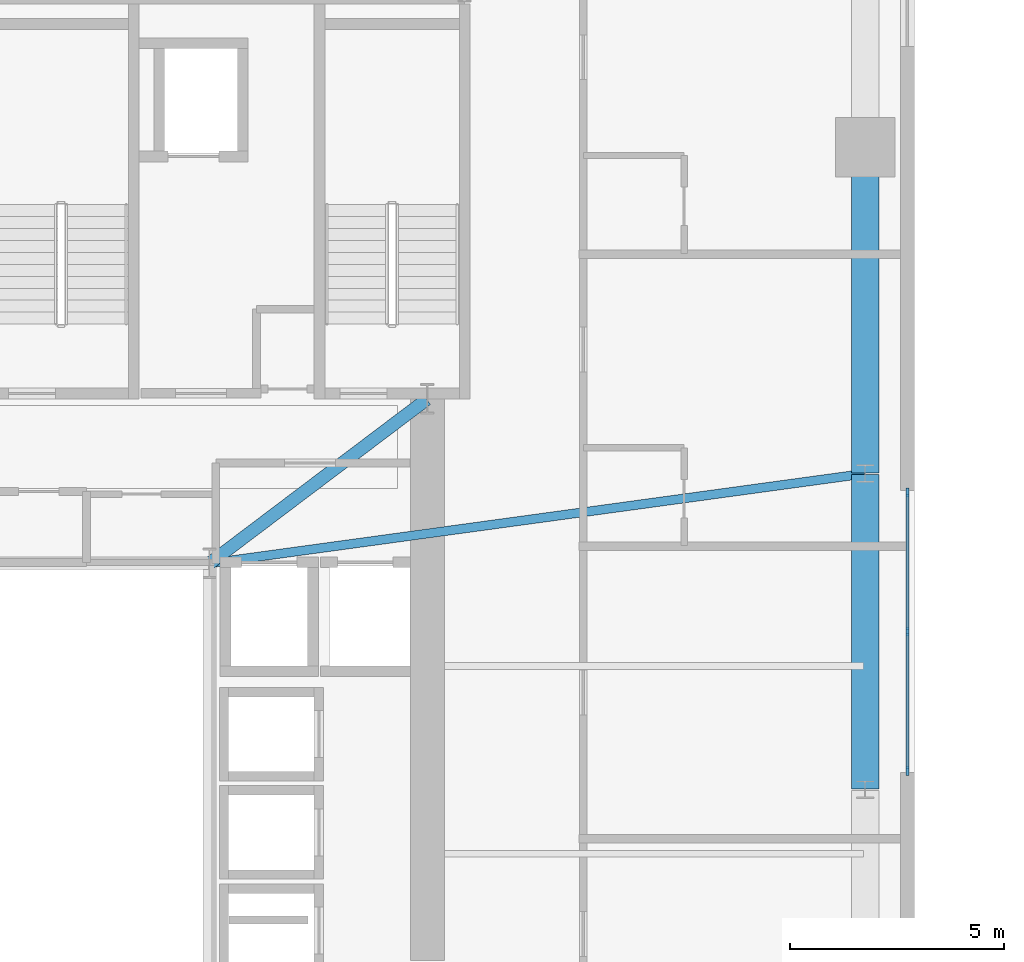
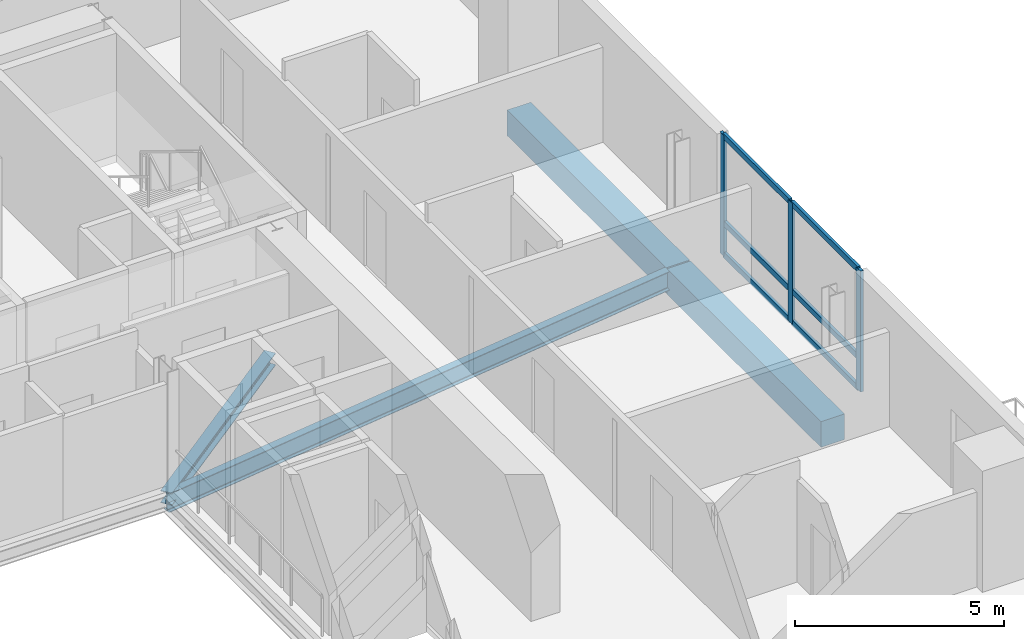
# One storey, part 5 of 16: 9 members, 4 beams, 1 element without a shape of its own.
"""IFC4 building model written with IfcOpenShell, lengths in metres."""

from ifc_helpers import new_model, si_unit, direction, frame, origin, origin_2d, place, context, subcontext, project, spatial, rectangle, i_section, extrude, source, transform, mapped, material, material_profile, profile_set, type_object, element, aggregate, save


model = new_model("IFC4")

# Units and contexts
model_context = context("Model", 3, precision=1e-05, world=origin(), true_north=direction((0.0, 1.0)))
body_context = subcontext(model_context, "Body", "Model", "MODEL_VIEW")
ifc_project = project(units=[si_unit("LENGTHUNIT", "METRE"), si_unit("AREAUNIT", "SQUARE_METRE"), si_unit("VOLUMEUNIT", "CUBIC_METRE"), si_unit("PLANEANGLEUNIT", "RADIAN"), si_unit("MASSUNIT", "GRAM", prefix="KILO")], contexts=[model_context])

# Site, building, storey
site_placement = place(None, origin())
site = spatial("IfcSite", under=ifc_project, at=site_placement, CompositionType="ELEMENT")
building_placement = place(site_placement, origin())
building = spatial("IfcBuilding", under=site, at=building_placement, Name="Vardaveli Station Tower", CompositionType="ELEMENT")
storey_placement = place(building_placement, frame((0.0, 0.0, 184.800048828125)))
storey = spatial("IfcBuildingStorey", under=building, at=storey_placement, Name="L47", CompositionType="ELEMENT", Elevation=184.800048828125)

# Beams
ifc_material_1 = material(Name="Structural steel S355J2", Category="steel")
ifc_material_profile_1 = material_profile(ifc_material_1, i_section(OverallWidth=0.300048828125, OverallDepth=0.360107421875, WebThickness=0.012451171875, FlangeThickness=0.0224609375, FilletRadius=0.027099609375, at=origin_2d()), Name="HEB 360")
ifc_profile_set_1 = profile_set([ifc_material_profile_1], Name="Structural steel S355J2")
beam_type_1 = type_object("IfcBeamType", Name="BM-HEB360", PredefinedType="BEAM", material=ifc_profile_set_1)
shared_shape_1 = source(origin(), body_context, "Body", "SweptSolid", [
    extrude(i_section(OverallWidth=0.300048828125, OverallDepth=0.360107421875, WebThickness=0.012451171875, FlangeThickness=0.0224609375, FilletRadius=0.027099609375, at=origin_2d()), origin(), (0.0, 0.0, 1.0), 6.35009765625),
])
beam_1_placement = place(storey_placement, frame((41.416015625, 26.81201171875, -0.400146484375), z_axis=(0.798118337722, 0.602500721154, 0.0), x_axis=(-0.602500721154, 0.798118337722, 0.0)))
element("IfcBeam", 1, at=beam_1_placement, inside=storey, type_object=beam_type_1, Name="CBM-L47-02", PredefinedType="BEAM", context=body_context, shape_type="MappedRepresentation", body=[
    mapped(shared_shape_1, transform((0.0, 0.0, 0.0), scale=1.0)),
])
ifc_material_2 = material(Name="Precast concrete C45/55", Category="concrete")
ifc_material_profile_2 = material_profile(ifc_material_2, rectangle(XDim=0.64990234375, YDim=0.75, at=origin_2d()), Name="LPB 650x750")
ifc_profile_set_2 = profile_set([ifc_material_profile_2], Name="Precast concrete C45/55")
beam_type_2 = type_object("IfcBeamType", Name="BM-LPB-750", PredefinedType="BEAM", material=ifc_profile_set_2)
shared_shape_2 = source(origin(), body_context, "Body", "SweptSolid", [
    extrude(rectangle(XDim=0.64990234375, YDim=0.75, at=origin_2d()), origin(), (0.0, 0.0, 1.0), 7.60009765625),
])
beam_2_placement = place(storey_placement, frame((56.75, 28.919921875, -0.594970703125), z_axis=(0.0, 1.0, 0.0), x_axis=(-1.0, 0.0, 0.0)))
element("IfcBeam", 2, at=beam_2_placement, inside=storey, type_object=beam_type_2, Name="RBM-L47-09", PredefinedType="BEAM", context=body_context, shape_type="MappedRepresentation", body=[
    mapped(shared_shape_2, transform((0.0, 0.0, 0.0), scale=1.0)),
])
shared_shape_3 = source(origin(), body_context, "Body", "SweptSolid", [
    extrude(rectangle(XDim=0.64990234375, YDim=0.75, at=origin_2d()), origin(), (0.0, 0.0, 1.0), 7.35986328125),
])
beam_3_placement = place(storey_placement, frame((56.75, 21.52001953125, -0.594970703125), z_axis=(0.0, 1.0, 0.0), x_axis=(-1.0, 0.0, 0.0)))
element("IfcBeam", 3, at=beam_3_placement, inside=storey, type_object=beam_type_2, Name="RBM-L47-08", PredefinedType="BEAM", context=body_context, shape_type="MappedRepresentation", body=[
    mapped(shared_shape_3, transform((0.0, 0.0, 0.0), scale=1.0)),
])
ifc_material_profile_3 = material_profile(ifc_material_1, i_section(OverallWidth=0.2099609375, OverallDepth=0.550048828125, WebThickness=0.010986328125, FlangeThickness=0.01708984375, FilletRadius=0.02392578125, at=origin_2d()), Name="IPE 550")
ifc_profile_set_3 = profile_set([ifc_material_profile_3], Name="Structural steel S355J2")
beam_type_3 = type_object("IfcBeamType", Name="BM-IPE550", PredefinedType="BEAM", material=ifc_profile_set_3)
shared_shape_4 = source(origin(), body_context, "Body", "SweptSolid", [
    extrude(i_section(OverallWidth=0.2099609375, OverallDepth=0.550048828125, WebThickness=0.010986328125, FlangeThickness=0.01708984375, FilletRadius=0.02392578125, at=origin_2d()), origin(), (0.0, 0.0, 1.0), 15.452880859375),
])
beam_4_placement = place(storey_placement, frame((56.730224609375, 28.897216796875, -0.4951171875), z_axis=(-0.99077191151, -0.135539733521, 0.0), x_axis=(0.135539733521, -0.99077191151, 0.0)))
element("IfcBeam", 4, at=beam_4_placement, inside=storey, type_object=beam_type_3, Name="GBM-L47-07", PredefinedType="BEAM", context=body_context, shape_type="MappedRepresentation", body=[
    mapped(shared_shape_4, transform((0.0, 0.0, 0.0), scale=1.0)),
])

# Curtain wall, members
ifc_material_3 = material(Name="Travertine stone and solar-control glass", Category="masonry")
curtain_wall_type = type_object("IfcCurtainWallType", Name="CW-SYS-5", PredefinedType="NOTDEFINED", material=ifc_material_3)
curtain_wall_placement = place(storey_placement, origin())
curtain_wall = element("IfcCurtainWall", 5, at=curtain_wall_placement, inside=storey, type_object=curtain_wall_type, Name="CW-L47-E", PredefinedType="NOTDEFINED")
ifc_material_4 = material(Name="Anodised aluminium alloy 6063-T6", Category="aluminium")
ifc_material_profile_4 = material_profile(ifc_material_4, rectangle(XDim=0.080078125, YDim=0.1650390625, at=origin_2d()), Name="CWT 80x165")
ifc_profile_set_4 = profile_set([ifc_material_profile_4], Name="Anodised aluminium alloy 6063-T6")
member_type_1 = type_object("IfcMemberType", Name="CW-SYS-5-TRAN", PredefinedType="NOTDEFINED", material=ifc_profile_set_4)
shared_shape_5 = source(origin(), body_context, "Body", "SweptSolid", [
    extrude(rectangle(XDim=0.080078125, YDim=0.1650390625, at=origin_2d()), origin(), (0.0, 0.0, 1.0), 3.179931640625),
])
member_1_placement = place(storey_placement, frame((57.739990234375, 21.97998046875, 0.0400390625), z_axis=(0.0, 1.0, 0.0), x_axis=(-1.0, 0.0, 0.0)))
member_1 = element("IfcMember", 6, at=member_1_placement, type_object=member_type_1, Name="CW-5 transom 1.1", ObjectType="TRANSOM", PredefinedType="USERDEFINED", context=body_context, shape_type="MappedRepresentation", body=[
    mapped(shared_shape_5, transform((0.0, 0.0, 0.0), scale=1.0)),
])
member_2_placement = place(storey_placement, frame((57.739990234375, 21.97998046875, 0.949951171875), z_axis=(0.0, 1.0, 0.0), x_axis=(-1.0, 0.0, 0.0)))
member_2 = element("IfcMember", 7, at=member_2_placement, type_object=member_type_1, Name="CW-5 transom 1.2", ObjectType="TRANSOM", PredefinedType="USERDEFINED", context=body_context, shape_type="MappedRepresentation", body=[
    mapped(shared_shape_5, transform((0.0, 0.0, 0.0), scale=1.0)),
])
member_3_placement = place(storey_placement, frame((57.739990234375, 21.97998046875, 3.489990234375), z_axis=(0.0, 1.0, 0.0), x_axis=(-1.0, 0.0, 0.0)))
member_3 = element("IfcMember", 8, at=member_3_placement, type_object=member_type_1, Name="CW-5 transom 1.3", ObjectType="TRANSOM", PredefinedType="USERDEFINED", context=body_context, shape_type="MappedRepresentation", body=[
    mapped(shared_shape_5, transform((0.0, 0.0, 0.0), scale=1.0)),
])
member_4_placement = place(storey_placement, frame((57.739990234375, 25.239990234375, 0.0400390625), z_axis=(0.0, 1.0, 0.0), x_axis=(-1.0, 0.0, 0.0)))
member_4 = element("IfcMember", 9, at=member_4_placement, type_object=member_type_1, Name="CW-5 transom 2.1", ObjectType="TRANSOM", PredefinedType="USERDEFINED", context=body_context, shape_type="MappedRepresentation", body=[
    mapped(shared_shape_5, transform((0.0, 0.0, 0.0), scale=1.0)),
])
member_5_placement = place(storey_placement, frame((57.739990234375, 25.239990234375, 0.949951171875), z_axis=(0.0, 1.0, 0.0), x_axis=(-1.0, 0.0, 0.0)))
member_5 = element("IfcMember", 10, at=member_5_placement, type_object=member_type_1, Name="CW-5 transom 2.2", ObjectType="TRANSOM", PredefinedType="USERDEFINED", context=body_context, shape_type="MappedRepresentation", body=[
    mapped(shared_shape_5, transform((0.0, 0.0, 0.0), scale=1.0)),
])
member_6_placement = place(storey_placement, frame((57.739990234375, 25.239990234375, 3.489990234375), z_axis=(0.0, 1.0, 0.0), x_axis=(-1.0, 0.0, 0.0)))
member_6 = element("IfcMember", 11, at=member_6_placement, type_object=member_type_1, Name="CW-5 transom 2.3", ObjectType="TRANSOM", PredefinedType="USERDEFINED", context=body_context, shape_type="MappedRepresentation", body=[
    mapped(shared_shape_5, transform((0.0, 0.0, 0.0), scale=1.0)),
])
ifc_material_profile_5 = material_profile(ifc_material_4, rectangle(XDim=0.080078125, YDim=0.205078125, at=origin_2d()), Name="CWM 80x205")
ifc_profile_set_5 = profile_set([ifc_material_profile_5], Name="Anodised aluminium alloy 6063-T6")
member_type_2 = type_object("IfcMemberType", Name="CW-SYS-5-MULL", PredefinedType="MULLION", material=ifc_profile_set_5)
shared_shape_6 = source(origin(), body_context, "Body", "SweptSolid", [
    extrude(rectangle(XDim=0.080078125, YDim=0.205078125, at=origin_2d()), origin(), (0.0, 0.0, 1.0), 3.530029296875),
])
member_7_placement = place(storey_placement, frame((57.739990234375, 21.93994140625, 0.0), z_axis=(0.0, 0.0, 1.0), x_axis=(-1.0, 0.0, 0.0)))
member_7 = element("IfcMember", 12, at=member_7_placement, type_object=member_type_2, Name="CW-5 mullion 1", PredefinedType="MULLION", context=body_context, shape_type="MappedRepresentation", body=[
    mapped(shared_shape_6, transform((0.0, 0.0, 0.0), scale=1.0)),
])
member_8_placement = place(storey_placement, frame((57.739990234375, 25.199951171875, 0.0), z_axis=(0.0, 0.0, 1.0), x_axis=(-1.0, 0.0, 0.0)))
member_8 = element("IfcMember", 13, at=member_8_placement, type_object=member_type_2, Name="CW-5 mullion 2", PredefinedType="MULLION", context=body_context, shape_type="MappedRepresentation", body=[
    mapped(shared_shape_6, transform((0.0, 0.0, 0.0), scale=1.0)),
])
member_9_placement = place(storey_placement, frame((57.739990234375, 28.4599609375, 0.0), z_axis=(0.0, 0.0, 1.0), x_axis=(-1.0, 0.0, 0.0)))
member_9 = element("IfcMember", 14, at=member_9_placement, type_object=member_type_2, Name="CW-5 mullion 3", PredefinedType="MULLION", context=body_context, shape_type="MappedRepresentation", body=[
    mapped(shared_shape_6, transform((0.0, 0.0, 0.0), scale=1.0)),
])
aggregate(curtain_wall, [member_7, member_8, member_9, member_1, member_2, member_3, member_4, member_5, member_6])

save(model, "model.ifc")
